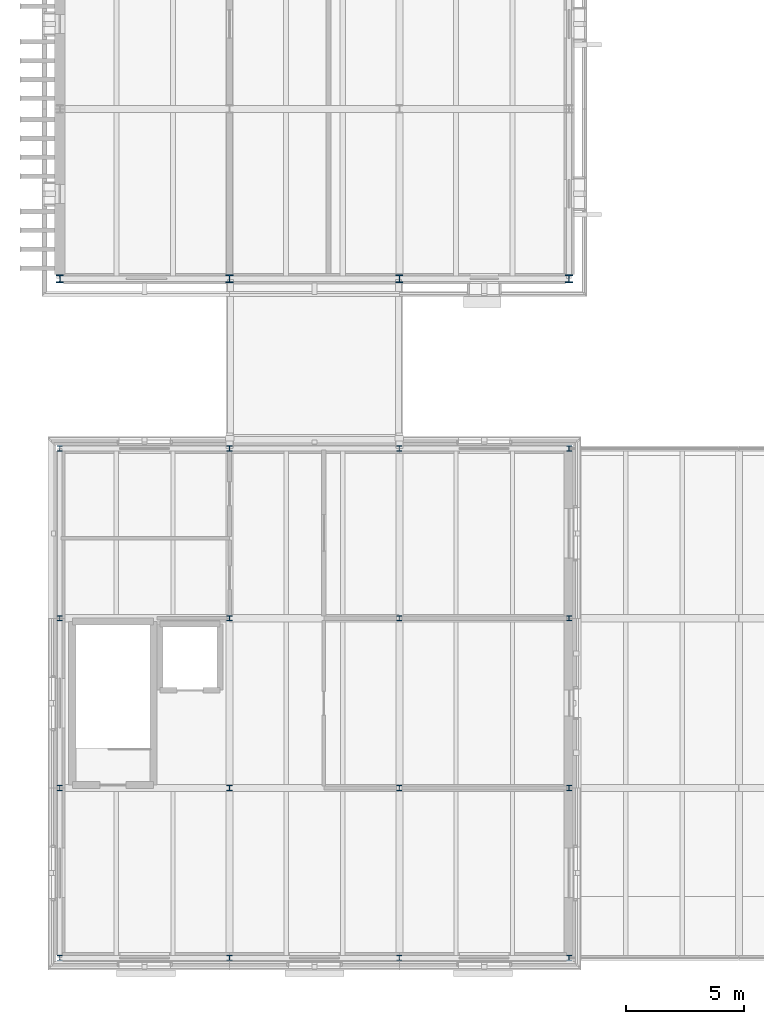
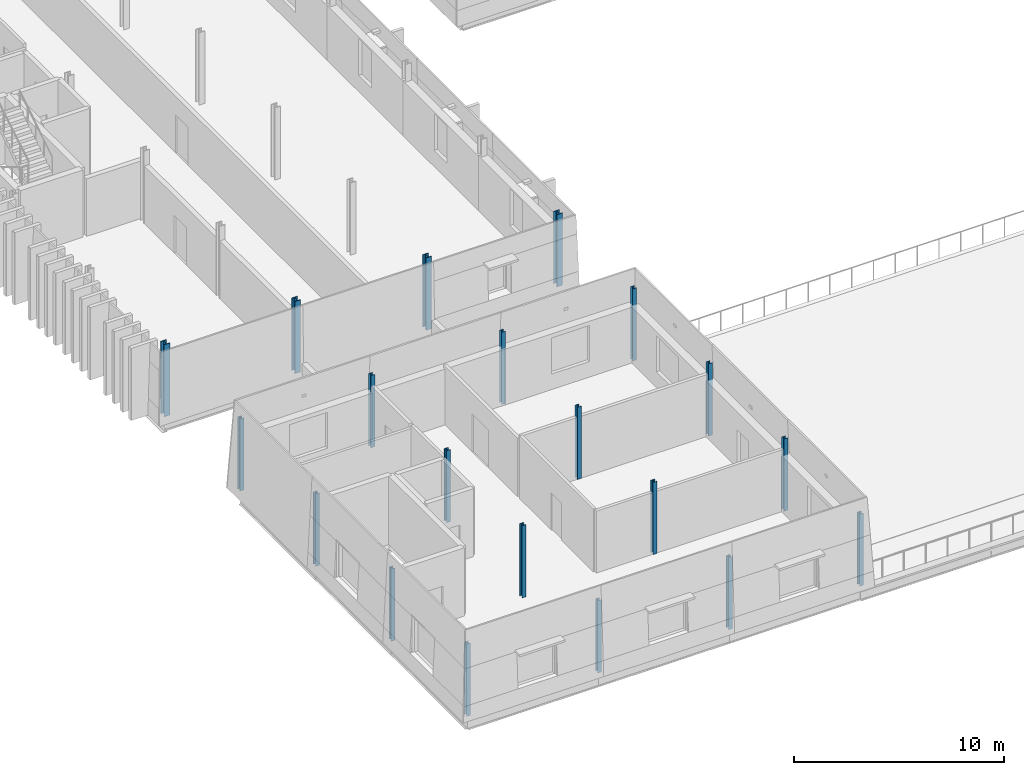
# One storey, part 1 of 115: 20 columns.
"""IFC4 building model written with IfcOpenShell, lengths in metres."""

import ifcopenshell
import ifcopenshell.guid

model = None  # the IFC model being written
_history = None  # IfcOwnerHistory: only IFC2X3 demands one
_inside = {}  # id of a spatial element -> (the spatial element, [elements in it])
_under = {}  # id of a project, library or spatial element -> (it, [spatial elements below it])
_declared = {}  # id of a project -> (the project, [libraries it declares])
_typed = {}  # id of a type object -> (the type object, [elements of that type])
_made_of = {}  # id of a material, layer set ... -> (it, [elements and type objects made of it])


def new_model(schema):
    """Start an empty IFC model of exactly this schema.

    Asked for "IFC4X3", IfcOpenShell would pick the latest addendum, in which some entities
    have other attributes; the version numbers below select the first issue.
    IFC2X3 requires an IfcOwnerHistory on every rooted entity: one is made here for all.
    """
    global model, _history
    if schema == "IFC4X3":
        model = ifcopenshell.file(schema_version=(4, 3, 0, 0))
    else:
        model = ifcopenshell.file(schema=schema)
    _inside.clear()
    _under.clear()
    _declared.clear()
    _typed.clear()
    _made_of.clear()
    _history = None
    if model.schema == "IFC2X3":
        org = make("IfcOrganization", Name="unknown")
        user = make(
            "IfcPersonAndOrganization",
            ThePerson=make("IfcPerson", FamilyName="unknown"),
            TheOrganization=org,
        )
        app = make(
            "IfcApplication",
            ApplicationDeveloper=org,
            Version="unknown",
            ApplicationFullName="unknown",
            ApplicationIdentifier="unknown",
        )
        _history = make(
            "IfcOwnerHistory",
            OwningUser=user,
            OwningApplication=app,
            ChangeAction="ADDED",
            CreationDate=0,
        )
    return model


def make(cls, **values):
    """One entity of the class cls with the attributes given. An attribute that is None is left unset."""
    return model.create_entity(
        cls, **{name: value for name, value in values.items() if value is not None}
    )


def rooted(cls, **values):
    """An entity with a GlobalId (a new one), such as an element, a storey or a relation."""
    return make(cls, GlobalId=ifcopenshell.guid.new(), OwnerHistory=_history, **values)


def si_unit(unit_type, name, prefix=None):
    """IfcSIUnit, for example si_unit("LENGTHUNIT", "METRE", prefix="MILLI")."""
    return make("IfcSIUnit", UnitType=unit_type, Prefix=prefix, Name=name)


def assignment(units):
    """IfcUnitAssignment: the units of a project."""
    return None if units is None else make("IfcUnitAssignment", Units=units)


def point(xyz):
    """IfcCartesianPoint."""
    return None if xyz is None else make("IfcCartesianPoint", Coordinates=xyz)


def direction(xyz):
    """IfcDirection."""
    return None if xyz is None else make("IfcDirection", DirectionRatios=xyz)


def frame(location, z_axis=None, x_axis=None):
    """IfcAxis2Placement3D, a coordinate frame: its origin and axes. An axis left out is left unset."""
    return make(
        "IfcAxis2Placement3D",
        Location=point(location),
        Axis=direction(z_axis),
        RefDirection=direction(x_axis),
    )


def frame_2d(location, x_axis=None):
    """IfcAxis2Placement2D, a coordinate frame in the plane: its origin and x axis."""
    return make(
        "IfcAxis2Placement2D", Location=point(location), RefDirection=direction(x_axis)
    )


def origin():
    """The frame at (0, 0, 0) with its axes left unset."""
    return frame((0.0, 0.0, 0.0))


def origin_2d():
    """The frame at (0, 0) in the plane with its x axis left unset."""
    return frame_2d((0.0, 0.0))


def place(relative_to, where):
    """IfcLocalPlacement: puts the frame where relative to a parent placement (None: the world)."""
    return make(
        "IfcLocalPlacement", PlacementRelTo=relative_to, RelativePlacement=where
    )


def context(
    kind, dimensions, precision=None, world=None, true_north=None, identifier=None
):
    """IfcGeometricRepresentationContext, for example the 3D "Model" context."""
    return make(
        "IfcGeometricRepresentationContext",
        ContextIdentifier=identifier,
        ContextType=kind,
        CoordinateSpaceDimension=dimensions,
        Precision=precision,
        WorldCoordinateSystem=world,
        TrueNorth=true_north,
    )


def subcontext(parent, identifier, kind, view, scale=None):
    """IfcGeometricRepresentationSubContext, for example "Body" below "Model"."""
    return make(
        "IfcGeometricRepresentationSubContext",
        ContextIdentifier=identifier,
        ContextType=kind,
        ParentContext=parent,
        TargetScale=scale,
        TargetView=view,
    )


def project(units=None, contexts=None):
    """IfcProject with its units and contexts."""
    return rooted(
        "IfcProject",
        Name="project",
        RepresentationContexts=contexts,
        UnitsInContext=assignment(units),
    )


def spatial(cls, under=None, at=None, **own):
    """A site, building, storey or space (cls), placed at a placement, below another one or the project."""
    s = rooted(cls, ObjectPlacement=at, **own)
    if under is not None:
        _under.setdefault(under.id(), (under, []))[1].append(s)
    return s


def profile(cls, at=None, kind="AREA", **sizes):
    """A parametric profile (cls). Its sizes go by their IFC names, for example OverallWidth=200.0."""
    return make(cls, ProfileType=kind, Position=at, **sizes)


def i_section(**sizes):
    """IfcIShapeProfileDef."""
    return profile("IfcIShapeProfileDef", **sizes)


def extrude(swept, where, along, depth):
    """IfcExtrudedAreaSolid: the profile swept, set in the frame where, extruded along a direction by depth."""
    return make(
        "IfcExtrudedAreaSolid",
        SweptArea=swept,
        Position=where,
        ExtrudedDirection=direction(along),
        Depth=depth,
    )


def shape(context_of_items, identifier, shape_type, items):
    """IfcShapeRepresentation: the items that make up one representation, for example the "Body"."""
    return make(
        "IfcShapeRepresentation",
        ContextOfItems=context_of_items,
        RepresentationIdentifier=identifier,
        RepresentationType=shape_type,
        Items=items,
    )


def material(Name=None, Category=None):
    """IfcMaterial."""
    return make("IfcMaterial", Name=Name, Category=Category)


def material_profile(
    of_material, cross_section, Name=None, Category=None, Priority=None
):
    """IfcMaterialProfile: a cross section and its material."""
    return make(
        "IfcMaterialProfile",
        Name=Name,
        Material=of_material,
        Profile=cross_section,
        Priority=Priority,
        Category=Category,
    )


def profile_set(profiles, Name=None, composite=None):
    """IfcMaterialProfileSet."""
    return make(
        "IfcMaterialProfileSet",
        Name=Name,
        MaterialProfiles=profiles,
        CompositeProfile=composite,
    )


def made_of(thing, what):
    """Note that an element or type object is made of a material, layer set ...; save() writes the relation."""
    if what is not None:
        _made_of.setdefault(what.id(), (what, []))[1].append(thing)
    return thing


def type_object(cls, material=None, **own):
    """A type object (cls), such as IfcWallType, which elements share."""
    return made_of(rooted(cls, **own), material)


def element(
    cls,
    number,
    at=None,
    inside=None,
    cuts=None,
    type_object=None,
    material=None,
    context=None,
    identifier="Body",
    shape_type=None,
    held_by="IfcProductDefinitionShape",
    body=None,
    shapes=None,
    **own,
):
    """One element of the class cls, such as IfcWall. Its Tag is "e" and its number.

    at: its placement. inside: the storey or other place that contains it. cuts: it is an
    opening in that element (IfcRelVoidsElement). A single representation is given by context,
    identifier, shape_type and body (its items); several are given by shapes. held_by: the class
    of the entity that holds the representations. save() writes the other relations.
    """
    e = rooted(cls, Tag="e%d" % number, ObjectPlacement=at, **own)
    if body is not None:
        shapes = [shape(context, identifier, shape_type, body)]
    if shapes is not None:
        e.Representation = make(held_by, Representations=shapes)
    if inside is not None:
        _inside.setdefault(inside.id(), (inside, []))[1].append(e)
    if cuts is not None:
        rooted(
            "IfcRelVoidsElement", RelatingBuildingElement=cuts, RelatedOpeningElement=e
        )
    if type_object is not None:
        _typed.setdefault(type_object.id(), (type_object, []))[1].append(e)
    return made_of(e, material)


def aggregate(whole, parts):
    """IfcRelAggregates: a whole, such as a stair, and the parts it consists of."""
    return rooted("IfcRelAggregates", RelatingObject=whole, RelatedObjects=parts)


def save(model, path):
    """Write the relations noted so far, then the file.

    IfcRelAggregates (storeys below a building ...), IfcRelContainedInSpatialStructure (elements
    in a storey), IfcRelDefinesByType, IfcRelAssociatesMaterial and IfcRelDeclares: one each for
    every whole, place, type object, material and project.
    """
    for whole, parts in _under.values():
        aggregate(whole, parts)
    for where, things in _inside.values():
        rooted(
            "IfcRelContainedInSpatialStructure",
            RelatedElements=things,
            RelatingStructure=where,
        )
    for kind, things in _typed.values():
        rooted("IfcRelDefinesByType", RelatedObjects=things, RelatingType=kind)
    for what, things in _made_of.values():
        rooted("IfcRelAssociatesMaterial", RelatedObjects=things, RelatingMaterial=what)
    for by, libraries in _declared.values():
        rooted("IfcRelDeclares", RelatingContext=by, RelatedDefinitions=libraries)
    model.write(path)


model = new_model("IFC4")

# Units and contexts
model_context = context("Model", 3, precision=1e-05, world=origin(), true_north=direction((0.0, 1.0)))
body_context = subcontext(model_context, "Body", "Model", "MODEL_VIEW")
ifc_project = project(units=[si_unit("LENGTHUNIT", "METRE"), si_unit("AREAUNIT", "SQUARE_METRE"), si_unit("VOLUMEUNIT", "CUBIC_METRE"), si_unit("PLANEANGLEUNIT", "RADIAN"), si_unit("MASSUNIT", "GRAM", prefix="KILO")], contexts=[model_context])

# Site, building, storey
site_placement = place(None, origin())
site = spatial("IfcSite", under=ifc_project, at=site_placement, CompositionType="ELEMENT")
building_placement = place(site_placement, origin())
building = spatial("IfcBuilding", under=site, at=building_placement, Name="Narikvali Park Central Library", CompositionType="ELEMENT")
storey_placement = place(building_placement, frame((0.0, 0.0, 10.199951171875)))
storey = spatial("IfcBuildingStorey", under=building, at=storey_placement, Name="L02", CompositionType="ELEMENT", Elevation=10.199951171875)

# Columns
ifc_material = material(Name="Steel S355", Category="steel")
ifc_material_profile_1 = material_profile(ifc_material, i_section(OverallWidth=0.219970703125, OverallDepth=0.219970703125, WebThickness=0.009521484375, FlangeThickness=0.01611328125, FilletRadius=0.01806640625, at=origin_2d()), Name="HEB 220")
ifc_profile_set_1 = profile_set([ifc_material_profile_1], Name="Steel S355")
column_type_1 = type_object("IfcColumnType", Name="Steel Column HEB220", PredefinedType="COLUMN", material=ifc_profile_set_1)
for number, where, z_axis, x_axis, name in (
    (1, (0.0, 0.0, 0.0), (0.0, 0.0, 1.0), (1.0, 0.0, 0.0), "V2 L02 Column (0.0,0.0)"),
    (2, (0.0, 7.199951171875, 0.0), (0.0, 0.0, 1.0), (1.0, 0.0, 0.0), "V2 L02 Column (0.0,7.2)"),
    (3, (0.0, 14.39990234375, 0.0), (0.0, 0.0, 1.0), (1.0, 0.0, 0.0), "V2 L02 Column (0.0,14.4)"),
    (4, (0.0, 21.60009765625, 0.0), (0.0, 0.0, 1.0), (1.0, 0.0, 0.0), "V2 L02 Column (0.0,21.6)"),
    (5, (7.199951171875, 0.0, 0.0), (0.0, 0.0, 1.0), (1.0, 0.0, 0.0), "V2 L02 Column (7.2,0.0)"),
    (6, (7.199951171875, 7.199951171875, 0.0), (0.0, 0.0, 1.0), (1.0, 0.0, 0.0), "V2 L02 Column (7.2,7.2)"),
    (7, (7.199951171875, 14.39990234375, 0.0), (0.0, 0.0, 1.0), (1.0, 0.0, 0.0), "V2 L02 Column (7.2,14.4)"),
    (8, (7.199951171875, 21.60009765625, 0.0), (0.0, 0.0, 1.0), (1.0, 0.0, 0.0), "V2 L02 Column (7.2,21.6)"),
    (9, (14.39990234375, 0.0, 0.0), (0.0, 0.0, 1.0), (1.0, 0.0, 0.0), "V2 L02 Column (14.4,0.0)"),
    (10, (14.39990234375, 7.199951171875, 0.0), (0.0, 0.0, 1.0), (1.0, 0.0, 0.0), "V2 L02 Column (14.4,7.2)"),
    (11, (14.39990234375, 14.39990234375, 0.0), (0.0, 0.0, 1.0), (1.0, 0.0, 0.0), "V2 L02 Column (14.4,14.4)"),
    (12, (14.39990234375, 21.60009765625, 0.0), (0.0, 0.0, 1.0), (1.0, 0.0, 0.0), "V2 L02 Column (14.4,21.6)"),
    (13, (21.60009765625, 0.0, 0.0), (0.0, 0.0, 1.0), (1.0, 0.0, 0.0), "V2 L02 Column (21.6,0.0)"),
    (14, (21.60009765625, 7.199951171875, 0.0), (0.0, 0.0, 1.0), (1.0, 0.0, 0.0), "V2 L02 Column (21.6,7.2)"),
    (15, (21.60009765625, 14.39990234375, 0.0), (0.0, 0.0, 1.0), (1.0, 0.0, 0.0), "V2 L02 Column (21.6,14.4)"),
    (16, (21.60009765625, 21.60009765625, 0.0), (0.0, 0.0, 1.0), (1.0, 0.0, 0.0), "V2 L02 Column (21.6,21.6)"),
):
    element("IfcColumn", number, at=place(storey_placement, frame(where, z_axis=z_axis, x_axis=x_axis)), inside=storey, type_object=column_type_1, Name=name, PredefinedType="COLUMN", context=body_context, shape_type="SweptSolid", body=[
        extrude(i_section(OverallWidth=0.219970703125, OverallDepth=0.219970703125, WebThickness=0.009521484375, FlangeThickness=0.01611328125, FilletRadius=0.01806640625, at=origin_2d()), origin(), (0.0, 0.0, 1.0), 4.199951171875),
    ])
ifc_material_profile_2 = material_profile(ifc_material, i_section(OverallWidth=0.31005859375, OverallDepth=0.340087890625, WebThickness=0.02099609375, FlangeThickness=0.034912109375, FilletRadius=0.027099609375, at=origin_2d()), Name="HEM 300")
ifc_profile_set_2 = profile_set([ifc_material_profile_2], Name="Steel S355")
column_type_2 = type_object("IfcColumnType", Name="Steel Column HEM300", PredefinedType="COLUMN", material=ifc_profile_set_2)
for number, where, z_axis, x_axis, name in (
    (17, (0.0, 28.800048828125, 0.0), (0.0, 0.0, 1.0), (1.0, 0.0, 0.0), "V5 L02 Column (0.0,28.8)"),
    (18, (7.199951171875, 28.800048828125, 0.0), (0.0, 0.0, 1.0), (1.0, 0.0, 0.0), "V5 L02 Column (7.2,28.8)"),
    (19, (14.39990234375, 28.800048828125, 0.0), (0.0, 0.0, 1.0), (1.0, 0.0, 0.0), "V5 L02 Column (14.4,28.8)"),
    (20, (21.60009765625, 28.800048828125, 0.0), (0.0, 0.0, 1.0), (1.0, 0.0, 0.0), "V5 L02 Column (21.6,28.8)"),
):
    element("IfcColumn", number, at=place(storey_placement, frame(where, z_axis=z_axis, x_axis=x_axis)), inside=storey, type_object=column_type_2, Name=name, PredefinedType="COLUMN", context=body_context, shape_type="SweptSolid", body=[
        extrude(i_section(OverallWidth=0.31005859375, OverallDepth=0.340087890625, WebThickness=0.02099609375, FlangeThickness=0.034912109375, FilletRadius=0.027099609375, at=origin_2d()), origin(), (0.0, 0.0, 1.0), 4.199951171875),
    ])

save(model, "model.ifc")
